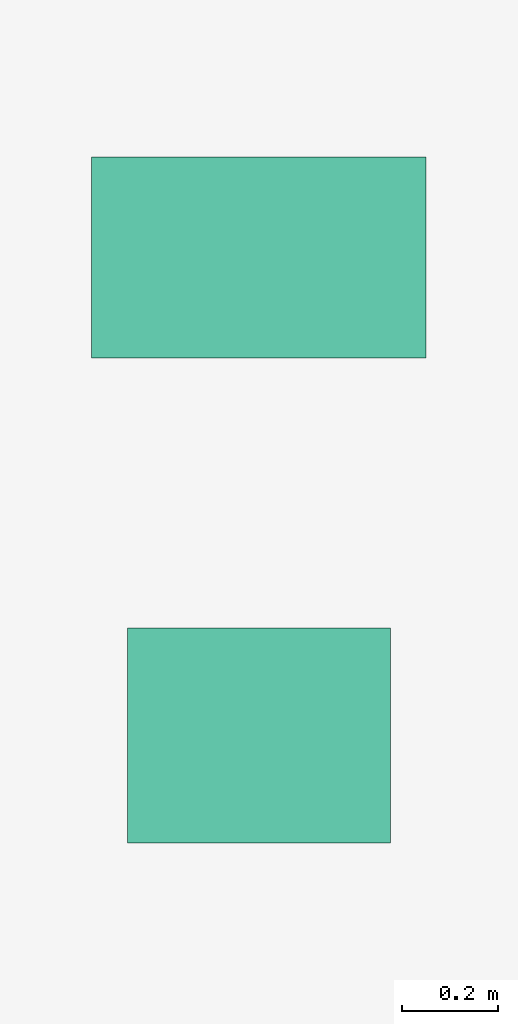
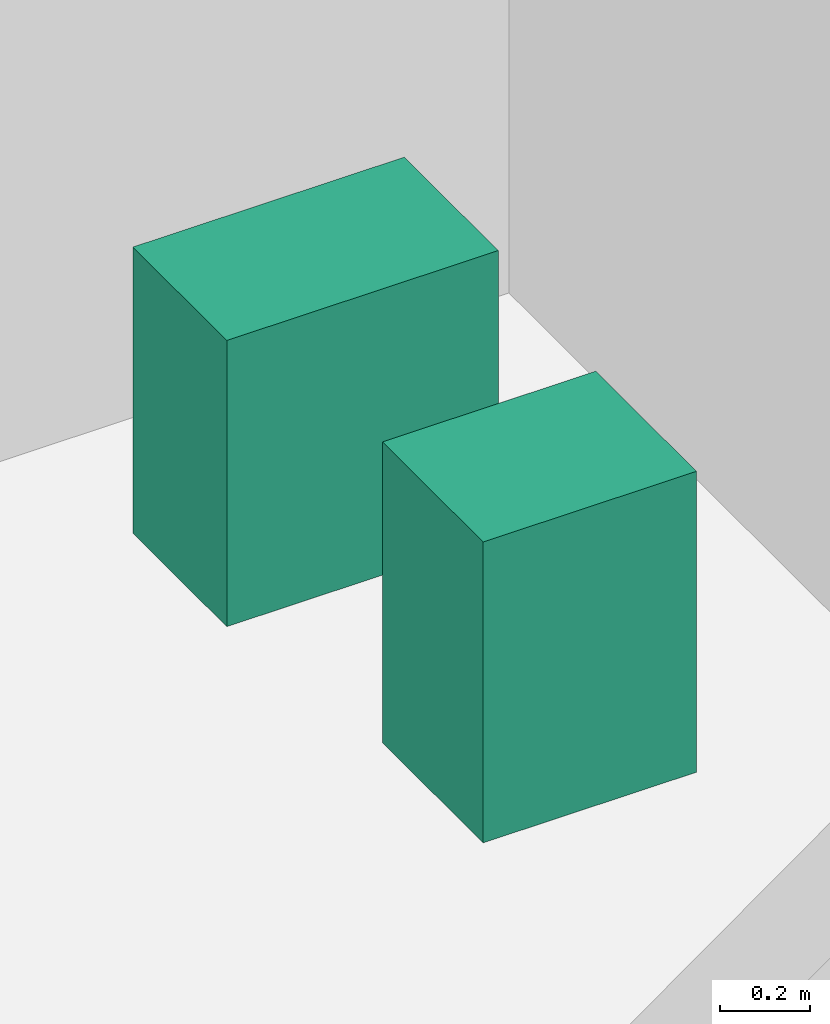
# One storey, part 30 of 30: 2 sanitary terminals.
"""IFC4 building model written with IfcOpenShell, lengths in metres."""

from ifc_helpers import new_model, si_unit, direction, frame, origin, origin_2d, place, context, subcontext, project, spatial, rectangle, extrude, source, transform, mapped, material, type_object, element, save


model = new_model("IFC4")

# Units and contexts
model_context = context("Model", 3, precision=1e-05, world=origin(), true_north=direction((0.0, 1.0)))
body_context = subcontext(model_context, "Body", "Model", "MODEL_VIEW")
ifc_project = project(units=[si_unit("LENGTHUNIT", "METRE"), si_unit("AREAUNIT", "SQUARE_METRE"), si_unit("VOLUMEUNIT", "CUBIC_METRE"), si_unit("PLANEANGLEUNIT", "RADIAN"), si_unit("MASSUNIT", "GRAM", prefix="KILO")], contexts=[model_context])

# Site, building, storey
site_placement = place(None, origin())
site = spatial("IfcSite", under=ifc_project, at=site_placement, CompositionType="ELEMENT")
building_placement = place(site_placement, origin())
building = spatial("IfcBuilding", under=site, at=building_placement, Name="Sumidabori Civic Tower", CompositionType="ELEMENT")
storey_placement = place(building_placement, frame((0.0, 0.0, 196.39990234375)))
storey = spatial("IfcBuildingStorey", under=building, at=storey_placement, Name="L50", CompositionType="ELEMENT", Elevation=196.39990234375)

# Sanitary terminals
ifc_material = material(Name="Vitreous Sanitary Porcelain")
sanitary_terminal_type_1 = type_object("IfcSanitaryTerminalType", Name="SN-WC-1", PredefinedType="TOILETPAN", material=ifc_material)
shared_shape_1 = source(origin(), body_context, "Body", "SweptSolid", [
    extrude(rectangle(XDim=0.699951171875, YDim=0.419921875, at=origin_2d()), origin(), (0.0, 0.0, 1.0), 0.780029296875),
])
sanitary_terminal_1_placement = place(storey_placement, frame((10.800048828125, 21.85009765625, 0.0), z_axis=(0.0, 0.0, 1.0), x_axis=(1.0, 0.0, 0.0)))
element("IfcSanitaryTerminal", 1, at=sanitary_terminal_1_placement, inside=storey, type_object=sanitary_terminal_type_1, Name="Accessible WC Pan L50", PredefinedType="TOILETPAN", context=body_context, shape_type="MappedRepresentation", body=[
    mapped(shared_shape_1, transform((0.0, 0.0, 0.0), x_axis=(1.0, 0.0, 0.0), y_axis=(0.0, 1.0, 0.0), z_axis=(0.0, 0.0, 1.0), scale=1.0)),
])
sanitary_terminal_type_2 = type_object("IfcSanitaryTerminalType", Name="SN-BAS-1", PredefinedType="WASHHANDBASIN", material=ifc_material)
shared_shape_2 = source(origin(), body_context, "Body", "SweptSolid", [
    extrude(rectangle(XDim=0.550048828125, YDim=0.449951171875, at=origin_2d()), origin(), (0.0, 0.0, 1.0), 0.820068359375),
])
sanitary_terminal_2_placement = place(storey_placement, frame((10.800048828125, 20.85009765625, 0.0), z_axis=(0.0, 0.0, 1.0), x_axis=(1.0, 0.0, 0.0)))
element("IfcSanitaryTerminal", 2, at=sanitary_terminal_2_placement, inside=storey, type_object=sanitary_terminal_type_2, Name="Accessible Basin L50", PredefinedType="WASHHANDBASIN", context=body_context, shape_type="MappedRepresentation", body=[
    mapped(shared_shape_2, transform((0.0, 0.0, 0.0), x_axis=(1.0, 0.0, 0.0), y_axis=(0.0, 1.0, 0.0), z_axis=(0.0, 0.0, 1.0), scale=1.0)),
])

save(model, "model.ifc")
